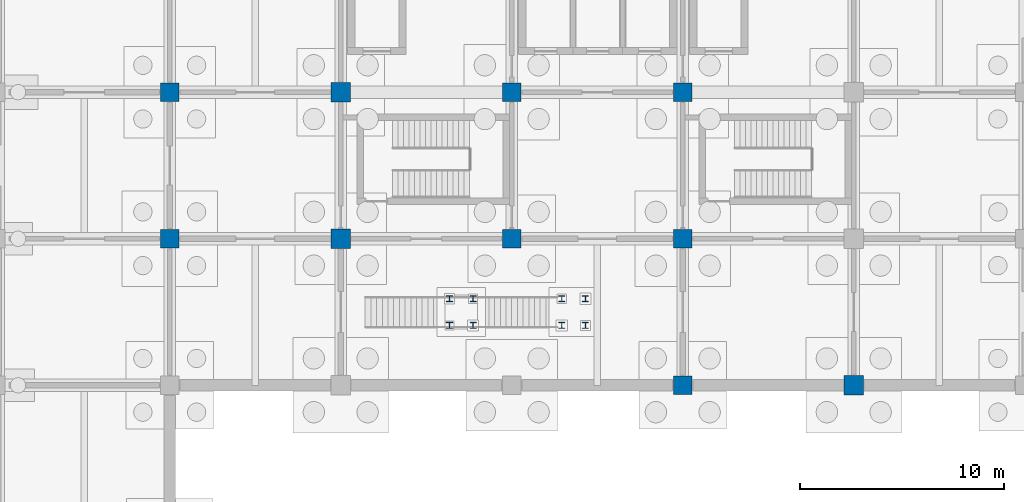
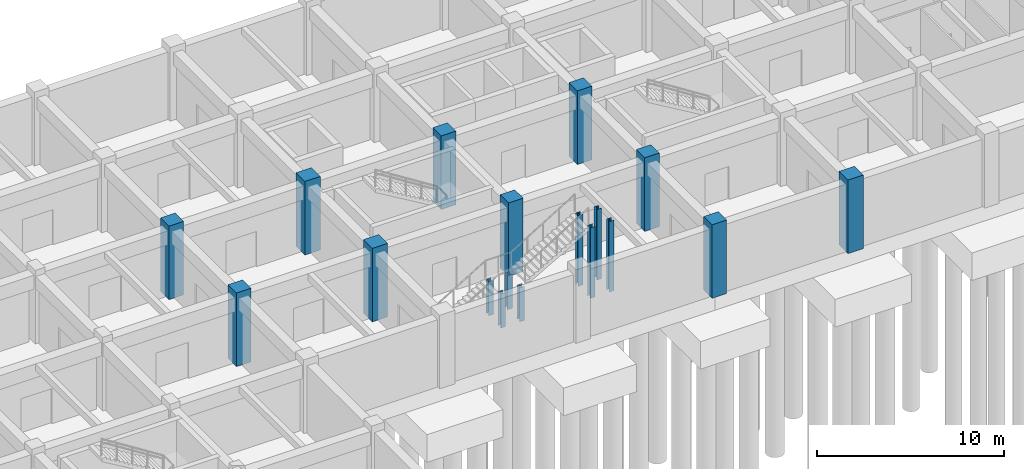
# One storey, part 10 of 38: 18 columns.
"""IFC4 building model written with IfcOpenShell, lengths in metres."""

from ifc_helpers import new_model, si_unit, derived_unit, direction, frame, origin, origin_2d, place, context, subcontext, project, spatial, rectangle, i_section, extrude, material, material_profile, profile_set, type_object, element, save


model = new_model("IFC4")

# Units and contexts
model_context = context("Model", 3, precision=1e-05, world=origin(), true_north=direction((0.0, 1.0)))
body_context = subcontext(model_context, "Body", "Model", "MODEL_VIEW")
ifc_project = project(units=[si_unit("LENGTHUNIT", "METRE"), si_unit("AREAUNIT", "SQUARE_METRE"), si_unit("VOLUMEUNIT", "CUBIC_METRE"), si_unit("PLANEANGLEUNIT", "RADIAN"), si_unit("MASSUNIT", "GRAM", prefix="KILO"), derived_unit("THERMALTRANSMITTANCEUNIT", [(si_unit("MASSUNIT", "GRAM", prefix="KILO"), 1), (si_unit("TIMEUNIT", "SECOND"), -3), (si_unit("THERMODYNAMICTEMPERATUREUNIT", "KELVIN"), -1)])], contexts=[model_context])

# Site, building, storey
site_placement = place(None, origin())
site = spatial("IfcSite", under=ifc_project, at=site_placement, CompositionType="ELEMENT")
building_placement = place(site_placement, origin())
building = spatial("IfcBuilding", under=site, at=building_placement, Name="Veldstrom Oceanarium and Marine Research Institute", CompositionType="ELEMENT")
storey_placement = place(building_placement, frame((0.0, 0.0, -9.60009765625)))
storey = spatial("IfcBuildingStorey", under=building, at=storey_placement, Name="B02", CompositionType="ELEMENT", Elevation=-9.60009765625)

# Columns
ifc_material_1 = material(Name="Concrete C50/60", Category="concrete")
ifc_material_profile_1 = material_profile(ifc_material_1, rectangle(XDim=0.949951171875, YDim=0.949951171875, at=origin_2d()), Name="RC-COL-950x950")
ifc_profile_set_1 = profile_set([ifc_material_profile_1], Name="Concrete C50/60")
column_type_1 = type_object("IfcColumnType", Name="STR-COL-C01", PredefinedType="COLUMN", material=ifc_profile_set_1)
for number, where, z_axis, x_axis, name in (
    (1, (75.60009765625, 50.39990234375, 0.0), (0.0, 0.0, 1.0), (1.0, 0.0, 0.0), "Column C01 10/H B02"),
    (2, (75.60009765625, 57.60009765625, 0.0), (0.0, 0.0, 1.0), (1.0, 0.0, 0.0), "Column C01 10/J B02"),
    (3, (100.800048828125, 43.199951171875, 0.0), (0.0, 0.0, 1.0), (1.0, 0.0, 0.0), "Column C01 13/G B02"),
):
    element("IfcColumn", number, at=place(storey_placement, frame(where, z_axis=z_axis, x_axis=x_axis)), inside=storey, type_object=column_type_1, Name=name, PredefinedType="COLUMN", context=body_context, shape_type="SweptSolid", body=[
        extrude(rectangle(XDim=0.949951171875, YDim=0.949951171875, at=origin_2d()), origin(), (0.0, 0.0, 1.0), 4.800048828125),
    ])
ifc_material_2 = material(Name="Concrete C50/60", Category="concrete")
ifc_material_profile_2 = material_profile(ifc_material_2, rectangle(XDim=0.89990234375, YDim=0.89990234375, at=origin_2d()), Name="RC-COL-900x900")
ifc_profile_set_2 = profile_set([ifc_material_profile_2], Name="Concrete C50/60")
column_type_2 = type_object("IfcColumnType", Name="STR-COL-C02", PredefinedType="COLUMN", material=ifc_profile_set_2)
for number, where, z_axis, x_axis, name in (
    (4, (67.199951171875, 50.39990234375, 0.0), (0.0, 0.0, 1.0), (1.0, 0.0, 0.0), "Column C02 9/H B02"),
    (5, (67.199951171875, 57.60009765625, 0.0), (0.0, 0.0, 1.0), (1.0, 0.0, 0.0), "Column C02 9/J B02"),
    (6, (84.0, 50.39990234375, 0.0), (0.0, 0.0, 1.0), (1.0, 0.0, 0.0), "Column C02 11/H B02"),
    (7, (84.0, 57.60009765625, 0.0), (0.0, 0.0, 1.0), (1.0, 0.0, 0.0), "Column C02 11/J B02"),
    (8, (92.39990234375, 43.199951171875, 0.0), (0.0, 0.0, 1.0), (1.0, 0.0, 0.0), "Column C02 12/G B02"),
    (9, (92.39990234375, 50.39990234375, 0.0), (0.0, 0.0, 1.0), (1.0, 0.0, 0.0), "Column C02 12/H B02"),
    (10, (92.39990234375, 57.60009765625, 0.0), (0.0, 0.0, 1.0), (1.0, 0.0, 0.0), "Column C02 12/J B02"),
):
    element("IfcColumn", number, at=place(storey_placement, frame(where, z_axis=z_axis, x_axis=x_axis)), inside=storey, type_object=column_type_2, Name=name, PredefinedType="COLUMN", context=body_context, shape_type="SweptSolid", body=[
        extrude(rectangle(XDim=0.89990234375, YDim=0.89990234375, at=origin_2d()), origin(), (0.0, 0.0, 1.0), 4.800048828125),
    ])
ifc_material_3 = material(Name="Steel S355JR", Category="steel")
ifc_material_profile_3 = material_profile(ifc_material_3, i_section(OverallWidth=0.300048828125, OverallDepth=0.300048828125, WebThickness=0.010986328125, FlangeThickness=0.01904296875, FilletRadius=0.027099609375, at=origin_2d()), Name="HEB 300")
ifc_profile_set_3 = profile_set([ifc_material_profile_3], Name="Steel S355JR")
column_type_3 = type_object("IfcColumnType", Name="STR-COL-C16", PredefinedType="COLUMN", material=ifc_profile_set_3)
for number, where, z_axis, x_axis, name in (
    (11, (80.93994140625, 46.14501953125, 0.0), (0.0, 0.0, 1.0), (1.0, 0.0, 0.0), "Gallery Stair MID Column ST5-02-1"),
    (12, (82.10009765625, 46.14501953125, 0.0), (0.0, 0.0, 1.0), (1.0, 0.0, 0.0), "Gallery Stair MID Column ST5-02-2"),
    (13, (80.93994140625, 47.455078125, 0.0), (0.0, 0.0, 1.0), (1.0, 0.0, 0.0), "Gallery Stair MID Column ST5-02-3"),
    (14, (82.10009765625, 47.455078125, 0.0), (0.0, 0.0, 1.0), (1.0, 0.0, 0.0), "Gallery Stair MID Column ST5-02-4"),
):
    element("IfcColumn", number, at=place(storey_placement, frame(where, z_axis=z_axis, x_axis=x_axis)), inside=storey, type_object=column_type_3, Name=name, PredefinedType="COLUMN", context=body_context, shape_type="SweptSolid", body=[
        extrude(i_section(OverallWidth=0.300048828125, OverallDepth=0.300048828125, WebThickness=0.010986328125, FlangeThickness=0.01904296875, FilletRadius=0.027099609375, at=origin_2d()), origin(), (0.0, 0.0, 1.0), 2.22021484375),
    ])
for number, where, z_axis, x_axis, name in (
    (15, (86.4599609375, 46.14501953125, 0.0), (0.0, 0.0, 1.0), (1.0, 0.0, 0.0), "Gallery Stair TOP Column ST5-02-1"),
    (16, (87.6201171875, 46.14501953125, 0.0), (0.0, 0.0, 1.0), (1.0, 0.0, 0.0), "Gallery Stair TOP Column ST5-02-2"),
    (17, (86.4599609375, 47.455078125, 0.0), (0.0, 0.0, 1.0), (1.0, 0.0, 0.0), "Gallery Stair TOP Column ST5-02-3"),
    (18, (87.6201171875, 47.455078125, 0.0), (0.0, 0.0, 1.0), (1.0, 0.0, 0.0), "Gallery Stair TOP Column ST5-02-4"),
):
    element("IfcColumn", number, at=place(storey_placement, frame(where, z_axis=z_axis, x_axis=x_axis)), inside=storey, type_object=column_type_3, Name=name, PredefinedType="COLUMN", context=body_context, shape_type="SweptSolid", body=[
        extrude(i_section(OverallWidth=0.300048828125, OverallDepth=0.300048828125, WebThickness=0.010986328125, FlangeThickness=0.01904296875, FilletRadius=0.027099609375, at=origin_2d()), origin(), (0.0, 0.0, 1.0), 4.60009765625),
    ])

save(model, "model.ifc")
